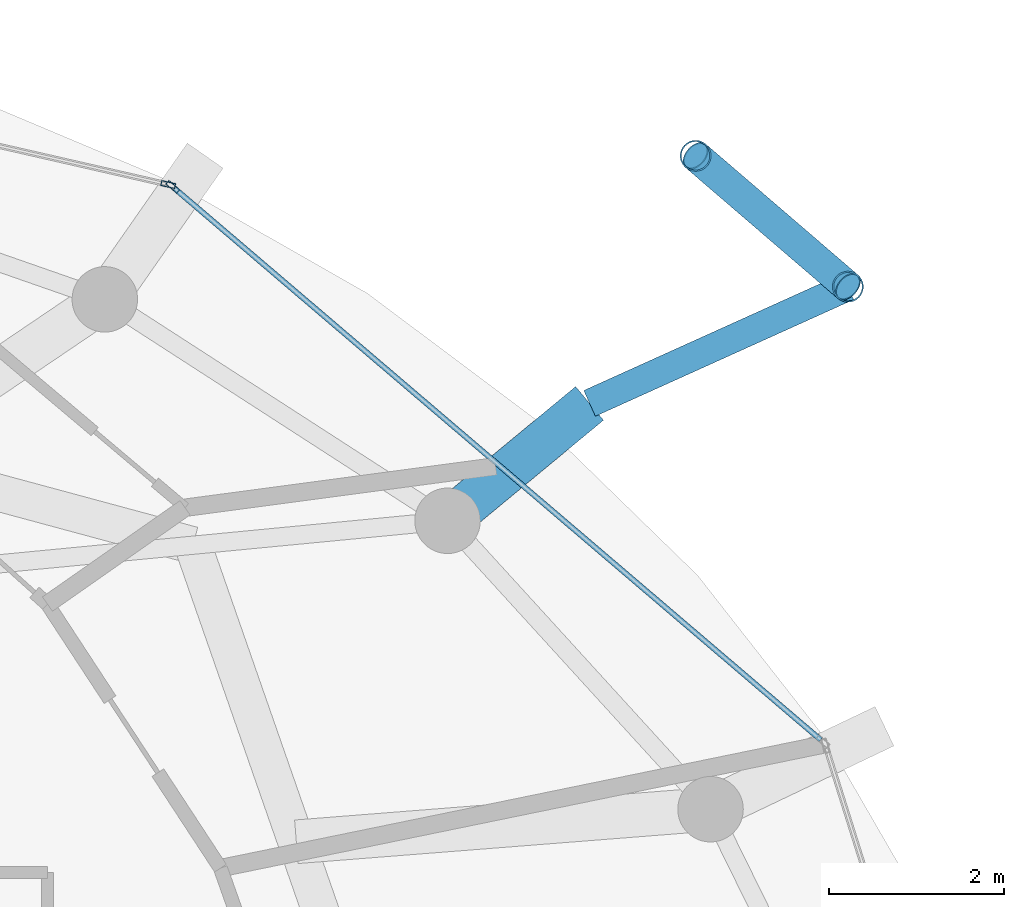
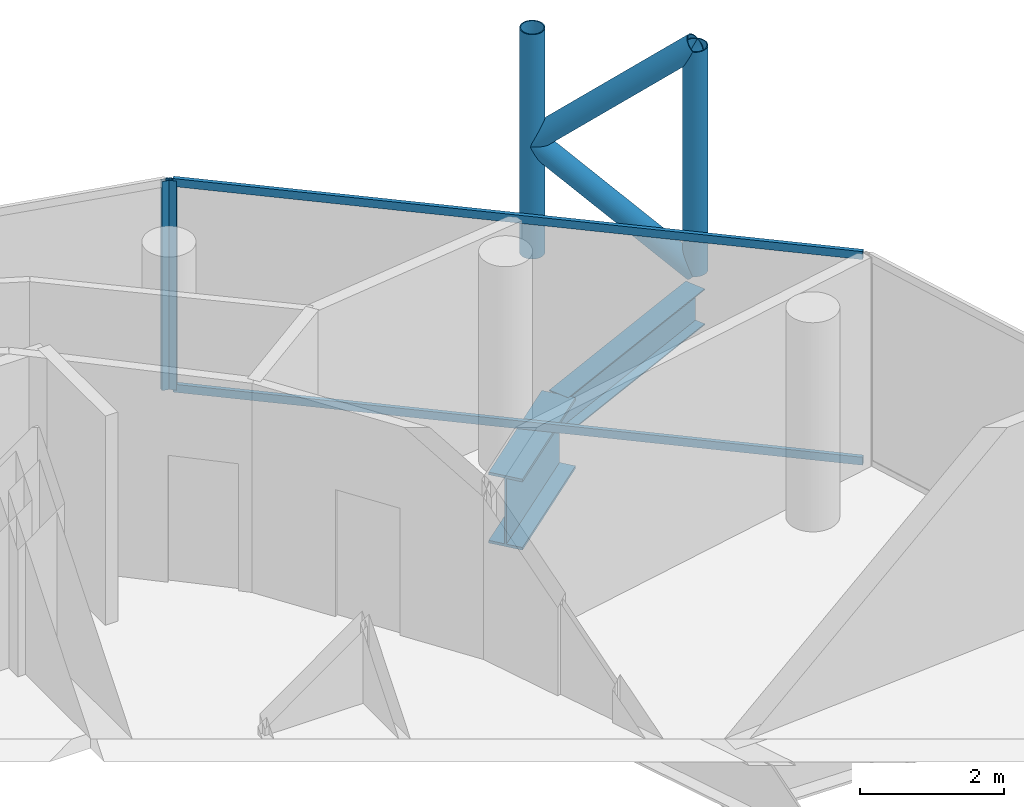
# One storey, part 19 of 25: 8 members, 2 beams, 2 elements without a shape of their own.
"""IFC4 building model written with IfcOpenShell, lengths in metres."""

import ifcopenshell
import ifcopenshell.guid

model = None  # the IFC model being written
_history = None  # IfcOwnerHistory: only IFC2X3 demands one
_inside = {}  # id of a spatial element -> (the spatial element, [elements in it])
_under = {}  # id of a project, library or spatial element -> (it, [spatial elements below it])
_declared = {}  # id of a project -> (the project, [libraries it declares])
_typed = {}  # id of a type object -> (the type object, [elements of that type])
_made_of = {}  # id of a material, layer set ... -> (it, [elements and type objects made of it])


def new_model(schema):
    """Start an empty IFC model of exactly this schema.

    Asked for "IFC4X3", IfcOpenShell would pick the latest addendum, in which some entities
    have other attributes; the version numbers below select the first issue.
    IFC2X3 requires an IfcOwnerHistory on every rooted entity: one is made here for all.
    """
    global model, _history
    if schema == "IFC4X3":
        model = ifcopenshell.file(schema_version=(4, 3, 0, 0))
    else:
        model = ifcopenshell.file(schema=schema)
    _inside.clear()
    _under.clear()
    _declared.clear()
    _typed.clear()
    _made_of.clear()
    _history = None
    if model.schema == "IFC2X3":
        org = make("IfcOrganization", Name="unknown")
        user = make(
            "IfcPersonAndOrganization",
            ThePerson=make("IfcPerson", FamilyName="unknown"),
            TheOrganization=org,
        )
        app = make(
            "IfcApplication",
            ApplicationDeveloper=org,
            Version="unknown",
            ApplicationFullName="unknown",
            ApplicationIdentifier="unknown",
        )
        _history = make(
            "IfcOwnerHistory",
            OwningUser=user,
            OwningApplication=app,
            ChangeAction="ADDED",
            CreationDate=0,
        )
    return model


def make(cls, **values):
    """One entity of the class cls with the attributes given. An attribute that is None is left unset."""
    return model.create_entity(
        cls, **{name: value for name, value in values.items() if value is not None}
    )


def rooted(cls, **values):
    """An entity with a GlobalId (a new one), such as an element, a storey or a relation."""
    return make(cls, GlobalId=ifcopenshell.guid.new(), OwnerHistory=_history, **values)


def si_unit(unit_type, name, prefix=None):
    """IfcSIUnit, for example si_unit("LENGTHUNIT", "METRE", prefix="MILLI")."""
    return make("IfcSIUnit", UnitType=unit_type, Prefix=prefix, Name=name)


def assignment(units):
    """IfcUnitAssignment: the units of a project."""
    return None if units is None else make("IfcUnitAssignment", Units=units)


def point(xyz):
    """IfcCartesianPoint."""
    return None if xyz is None else make("IfcCartesianPoint", Coordinates=xyz)


def direction(xyz):
    """IfcDirection."""
    return None if xyz is None else make("IfcDirection", DirectionRatios=xyz)


def frame(location, z_axis=None, x_axis=None):
    """IfcAxis2Placement3D, a coordinate frame: its origin and axes. An axis left out is left unset."""
    return make(
        "IfcAxis2Placement3D",
        Location=point(location),
        Axis=direction(z_axis),
        RefDirection=direction(x_axis),
    )


def frame_2d(location, x_axis=None):
    """IfcAxis2Placement2D, a coordinate frame in the plane: its origin and x axis."""
    return make(
        "IfcAxis2Placement2D", Location=point(location), RefDirection=direction(x_axis)
    )


def origin():
    """The frame at (0, 0, 0) with its axes left unset."""
    return frame((0.0, 0.0, 0.0))


def origin_2d():
    """The frame at (0, 0) in the plane with its x axis left unset."""
    return frame_2d((0.0, 0.0))


def place(relative_to, where):
    """IfcLocalPlacement: puts the frame where relative to a parent placement (None: the world)."""
    return make(
        "IfcLocalPlacement", PlacementRelTo=relative_to, RelativePlacement=where
    )


def context(
    kind, dimensions, precision=None, world=None, true_north=None, identifier=None
):
    """IfcGeometricRepresentationContext, for example the 3D "Model" context."""
    return make(
        "IfcGeometricRepresentationContext",
        ContextIdentifier=identifier,
        ContextType=kind,
        CoordinateSpaceDimension=dimensions,
        Precision=precision,
        WorldCoordinateSystem=world,
        TrueNorth=true_north,
    )


def subcontext(parent, identifier, kind, view, scale=None):
    """IfcGeometricRepresentationSubContext, for example "Body" below "Model"."""
    return make(
        "IfcGeometricRepresentationSubContext",
        ContextIdentifier=identifier,
        ContextType=kind,
        ParentContext=parent,
        TargetScale=scale,
        TargetView=view,
    )


def project(units=None, contexts=None):
    """IfcProject with its units and contexts."""
    return rooted(
        "IfcProject",
        Name="project",
        RepresentationContexts=contexts,
        UnitsInContext=assignment(units),
    )


def spatial(cls, under=None, at=None, **own):
    """A site, building, storey or space (cls), placed at a placement, below another one or the project."""
    s = rooted(cls, ObjectPlacement=at, **own)
    if under is not None:
        _under.setdefault(under.id(), (under, []))[1].append(s)
    return s


def profile(cls, at=None, kind="AREA", **sizes):
    """A parametric profile (cls). Its sizes go by their IFC names, for example OverallWidth=200.0."""
    return make(cls, ProfileType=kind, Position=at, **sizes)


def hollow_rectangle(**sizes):
    """IfcRectangleHollowProfileDef."""
    return profile("IfcRectangleHollowProfileDef", **sizes)


def hollow_circle(**sizes):
    """IfcCircleHollowProfileDef."""
    return profile("IfcCircleHollowProfileDef", **sizes)


def i_section(**sizes):
    """IfcIShapeProfileDef."""
    return profile("IfcIShapeProfileDef", **sizes)


def extrude(swept, where, along, depth):
    """IfcExtrudedAreaSolid: the profile swept, set in the frame where, extruded along a direction by depth."""
    return make(
        "IfcExtrudedAreaSolid",
        SweptArea=swept,
        Position=where,
        ExtrudedDirection=direction(along),
        Depth=depth,
    )


def shape(context_of_items, identifier, shape_type, items):
    """IfcShapeRepresentation: the items that make up one representation, for example the "Body"."""
    return make(
        "IfcShapeRepresentation",
        ContextOfItems=context_of_items,
        RepresentationIdentifier=identifier,
        RepresentationType=shape_type,
        Items=items,
    )


def material(Name=None, Category=None):
    """IfcMaterial."""
    return make("IfcMaterial", Name=Name, Category=Category)


def layer(
    of_material, thickness, ventilated=None, Name=None, Category=None, Priority=None
):
    """IfcMaterialLayer: one layer of a wall or slab, of a material (None: an air gap)."""
    return make(
        "IfcMaterialLayer",
        Material=of_material,
        LayerThickness=thickness,
        IsVentilated=ventilated,
        Name=Name,
        Category=Category,
        Priority=Priority,
    )


def layer_set(layers, Name=None):
    """IfcMaterialLayerSet."""
    return make("IfcMaterialLayerSet", MaterialLayers=layers, LayerSetName=Name)


def material_profile(
    of_material, cross_section, Name=None, Category=None, Priority=None
):
    """IfcMaterialProfile: a cross section and its material."""
    return make(
        "IfcMaterialProfile",
        Name=Name,
        Material=of_material,
        Profile=cross_section,
        Priority=Priority,
        Category=Category,
    )


def profile_set(profiles, Name=None, composite=None):
    """IfcMaterialProfileSet."""
    return make(
        "IfcMaterialProfileSet",
        Name=Name,
        MaterialProfiles=profiles,
        CompositeProfile=composite,
    )


def made_of(thing, what):
    """Note that an element or type object is made of a material, layer set ...; save() writes the relation."""
    if what is not None:
        _made_of.setdefault(what.id(), (what, []))[1].append(thing)
    return thing


def type_object(cls, material=None, **own):
    """A type object (cls), such as IfcWallType, which elements share."""
    return made_of(rooted(cls, **own), material)


def element(
    cls,
    number,
    at=None,
    inside=None,
    cuts=None,
    type_object=None,
    material=None,
    context=None,
    identifier="Body",
    shape_type=None,
    held_by="IfcProductDefinitionShape",
    body=None,
    shapes=None,
    **own,
):
    """One element of the class cls, such as IfcWall. Its Tag is "e" and its number.

    at: its placement. inside: the storey or other place that contains it. cuts: it is an
    opening in that element (IfcRelVoidsElement). A single representation is given by context,
    identifier, shape_type and body (its items); several are given by shapes. held_by: the class
    of the entity that holds the representations. save() writes the other relations.
    """
    e = rooted(cls, Tag="e%d" % number, ObjectPlacement=at, **own)
    if body is not None:
        shapes = [shape(context, identifier, shape_type, body)]
    if shapes is not None:
        e.Representation = make(held_by, Representations=shapes)
    if inside is not None:
        _inside.setdefault(inside.id(), (inside, []))[1].append(e)
    if cuts is not None:
        rooted(
            "IfcRelVoidsElement", RelatingBuildingElement=cuts, RelatedOpeningElement=e
        )
    if type_object is not None:
        _typed.setdefault(type_object.id(), (type_object, []))[1].append(e)
    return made_of(e, material)


def aggregate(whole, parts):
    """IfcRelAggregates: a whole, such as a stair, and the parts it consists of."""
    return rooted("IfcRelAggregates", RelatingObject=whole, RelatedObjects=parts)


def save(model, path):
    """Write the relations noted so far, then the file.

    IfcRelAggregates (storeys below a building ...), IfcRelContainedInSpatialStructure (elements
    in a storey), IfcRelDefinesByType, IfcRelAssociatesMaterial and IfcRelDeclares: one each for
    every whole, place, type object, material and project.
    """
    for whole, parts in _under.values():
        aggregate(whole, parts)
    for where, things in _inside.values():
        rooted(
            "IfcRelContainedInSpatialStructure",
            RelatedElements=things,
            RelatingStructure=where,
        )
    for kind, things in _typed.values():
        rooted("IfcRelDefinesByType", RelatedObjects=things, RelatingType=kind)
    for what, things in _made_of.values():
        rooted("IfcRelAssociatesMaterial", RelatedObjects=things, RelatingMaterial=what)
    for by, libraries in _declared.values():
        rooted("IfcRelDeclares", RelatingContext=by, RelatedDefinitions=libraries)
    model.write(path)


model = new_model("IFC4")

# Units and contexts
model_context = context("Model", 3, precision=1e-05, world=origin(), true_north=direction((0.0, 1.0)))
body_context = subcontext(model_context, "Body", "Model", "MODEL_VIEW")
ifc_project = project(units=[si_unit("LENGTHUNIT", "METRE"), si_unit("AREAUNIT", "SQUARE_METRE"), si_unit("VOLUMEUNIT", "CUBIC_METRE"), si_unit("PLANEANGLEUNIT", "RADIAN"), si_unit("MASSUNIT", "GRAM", prefix="KILO")], contexts=[model_context])

# Site, building, storey
site_placement = place(None, origin())
site = spatial("IfcSite", under=ifc_project, at=site_placement, CompositionType="ELEMENT")
building_placement = place(site_placement, origin())
building = spatial("IfcBuilding", under=site, at=building_placement, Name="Nuhasar Tower", CompositionType="ELEMENT")
storey_placement = place(building_placement, frame((0.0, 0.0, 255.60009765625)))
storey = spatial("IfcBuildingStorey", under=building, at=storey_placement, Name="L63", CompositionType="ELEMENT", Elevation=255.60009765625)

# Beams
ifc_material_1 = material(Name="Steel S355", Category="steel")
ifc_material_profile_1 = material_profile(ifc_material_1, i_section(OverallWidth=0.323974609375, OverallDepth=0.611083984375, WebThickness=0.0126953125, FlangeThickness=0.01904296875, at=origin_2d()), Name="W24X104")
ifc_profile_set_1 = profile_set([ifc_material_profile_1], Name="Steel S355")
beam_type_1 = type_object("IfcBeamType", Name="BM-TIE-W24X104", PredefinedType="BEAM", material=ifc_profile_set_1)
beam_1_placement = place(storey_placement, frame((54.02587890625, 39.422119140625, -0.565185546875), z_axis=(0.911363318082, 0.411602845538, 0.0), x_axis=(-0.411602845538, 0.911363318082, 0.0)))
element("IfcBeam", 1, at=beam_1_placement, inside=storey, type_object=beam_type_1, Name="L63 Exoskeleton Node Tie Beam 02", PredefinedType="BEAM", context=body_context, shape_type="SweptSolid", body=[
    extrude(i_section(OverallWidth=0.323974609375, OverallDepth=0.611083984375, WebThickness=0.0126953125, FlangeThickness=0.01904296875, at=origin_2d()), origin(), (0.0, 0.0, 1.0), 3.24560546875),
])
ifc_material_2 = material(Name="Steel S460", Category="steel")
ifc_material_profile_2 = material_profile(ifc_material_2, i_section(OverallWidth=0.5, OverallDepth=1.199951171875, WebThickness=0.02587890625, FlangeThickness=0.044921875, at=origin_2d()), Name="PG1200X500")
ifc_profile_set_2 = profile_set([ifc_material_profile_2], Name="Steel S460")
beam_type_2 = type_object("IfcBeamType", Name="BM-XFER-PG1200", PredefinedType="USERDEFINED", material=ifc_profile_set_2)
beam_2_placement = place(storey_placement, frame((52.39990234375, 38.077880859375, -0.860107421875), z_axis=(0.770719586417, 0.637174480903, 0.0), x_axis=(-0.637174480903, 0.770719586417, 0.0)))
element("IfcBeam", 2, at=beam_2_placement, inside=storey, type_object=beam_type_2, Name="L63 Radial Step Transfer Girder 05", ObjectType="GIRDER", PredefinedType="USERDEFINED", context=body_context, shape_type="SweptSolid", body=[
    extrude(i_section(OverallWidth=0.5, OverallDepth=1.199951171875, WebThickness=0.02587890625, FlangeThickness=0.044921875, at=origin_2d()), origin(), (0.0, 0.0, 1.0), 2.109619140625),
])

# Curtain wall, member
ifc_material_3 = material(Name="Aluminium 6063-T6", Category="aluminium")
ifc_layer = layer(ifc_material_3, 0.18994140625)
ifc_layer_set = layer_set([ifc_layer], Name="Aluminium 6063-T6")
curtain_wall_type = type_object("IfcCurtainWallType", Name="CW-Z4-PEN", PredefinedType="NOTDEFINED", material=ifc_layer_set)
curtain_wall_1_placement = place(storey_placement, origin())
curtain_wall_1 = element("IfcCurtainWall", 3, at=curtain_wall_1_placement, inside=storey, type_object=curtain_wall_type, Name="L63 Unitised Curtain Wall 02", PredefinedType="NOTDEFINED")
ifc_material_profile_3 = material_profile(ifc_material_3, hollow_rectangle(XDim=0.06005859375, YDim=0.1650390625, WallThickness=0.0048828125, at=origin_2d()), Name="CWM-5")
ifc_profile_set_3 = profile_set([ifc_material_profile_3], Name="Aluminium 6063-T6")
member_type_1 = type_object("IfcMemberType", Name="CW-MUL-S5", PredefinedType="MULLION", material=ifc_profile_set_3)
member_1_placement = place(storey_placement, frame((49.2529296875, 41.901611328125, 0.0), z_axis=(0.0, 0.0, 1.0), x_axis=(-0.649141996205, -0.760667252327, 0.0)))
member_1 = element("IfcMember", 4, at=member_1_placement, type_object=member_type_1, Name="CW-Z4 mullion 2", PredefinedType="MULLION", context=body_context, shape_type="SweptSolid", body=[
    extrude(hollow_rectangle(XDim=0.06005859375, YDim=0.1650390625, WallThickness=0.0048828125, at=origin_2d()), origin(), (0.0, 0.0, 1.0), 3.539794921875),
])

curtain_wall_2_placement = place(storey_placement, origin())
curtain_wall_2 = element("IfcCurtainWall", 5, at=curtain_wall_2_placement, inside=storey, type_object=curtain_wall_type, Name="L63 Unitised Curtain Wall 03", PredefinedType="NOTDEFINED")
member_2_placement = place(storey_placement, frame((49.20068359375, 41.927734375, 0.0), z_axis=(0.0, 0.0, 1.0), x_axis=(-0.222889487645, -0.97484371891, 0.0)))
member_2 = element("IfcMember", 6, at=member_2_placement, type_object=member_type_1, Name="CW-Z4 mullion 1", PredefinedType="MULLION", context=body_context, shape_type="SweptSolid", body=[
    extrude(hollow_rectangle(XDim=0.06005859375, YDim=0.1650390625, WallThickness=0.0048828125, at=origin_2d()), origin(), (0.0, 0.0, 1.0), 3.539794921875),
])
aggregate(curtain_wall_2, [member_2])

# Member
ifc_material_profile_4 = material_profile(ifc_material_3, hollow_rectangle(XDim=0.06005859375, YDim=0.135009765625, WallThickness=0.00439453125, at=origin_2d()), Name="CWT-5")
ifc_profile_set_4 = profile_set([ifc_material_profile_4], Name="Aluminium 6063-T6")
member_type_2 = type_object("IfcMemberType", Name="CW-TRN-S5", PredefinedType="USERDEFINED", material=ifc_profile_set_4)
member_3_placement = place(storey_placement, frame((56.67333984375, 35.56884765625, 0.02978515625), z_axis=(-0.760660035709, 0.649150452573, 0.0), x_axis=(-0.649150452573, -0.760660035709, 0.0)))
member_3 = element("IfcMember", 7, at=member_3_placement, type_object=member_type_2, Name="CW-Z4 transom 1.1", ObjectType="TRANSOM", PredefinedType="USERDEFINED", context=body_context, shape_type="SweptSolid", body=[
    extrude(hollow_rectangle(XDim=0.06005859375, YDim=0.135009765625, WallThickness=0.00439453125, at=origin_2d()), origin(), (0.0, 0.0, 1.0), 9.725341796875),
])

member_4_placement = place(storey_placement, frame((56.67333984375, 35.56884765625, 3.510009765625), z_axis=(-0.760660035709, 0.649150452573, 0.0), x_axis=(-0.649150452573, -0.760660035709, 0.0)))
member_4 = element("IfcMember", 8, at=member_4_placement, type_object=member_type_2, Name="CW-Z4 transom 1.2", ObjectType="TRANSOM", PredefinedType="USERDEFINED", context=body_context, shape_type="SweptSolid", body=[
    extrude(hollow_rectangle(XDim=0.06005859375, YDim=0.135009765625, WallThickness=0.00439453125, at=origin_2d()), origin(), (0.0, 0.0, 1.0), 9.725341796875),
])

aggregate(curtain_wall_1, [member_1, member_3, member_4])

# Members
ifc_material_profile_5 = material_profile(ifc_material_2, hollow_circle(Radius=0.177734375, WallThickness=0.015869140625, at=origin_2d()), Name="HSS355.6X15.9")
ifc_profile_set_5 = profile_set([ifc_material_profile_5], Name="Steel S460")
member_type_3 = type_object("IfcMemberType", Name="EXO-BRONZE-356", PredefinedType="BRACE", material=ifc_profile_set_5)
for number, where, z_axis, x_axis, name in (
    (9, (56.98388671875, 40.758056640625, 0.0), (0.0, 0.0, 1.0), (1.0, 0.0, 0.0), "L63 Exoskeleton Chord Column EC-02A"),
    (10, (55.239990234375, 42.257080078125, 0.0), (0.0, 0.0, 1.0), (1.0, 0.0, 0.0), "L63 Exoskeleton Chord Column EC-02B"),
):
    element("IfcMember", number, at=place(storey_placement, frame(where, z_axis=z_axis, x_axis=x_axis)), inside=storey, type_object=member_type_3, Name=name, PredefinedType="BRACE", context=body_context, shape_type="SweptSolid", body=[
        extrude(hollow_circle(Radius=0.177734375, WallThickness=0.015869140625, at=origin_2d()), origin(), (0.0, 0.0, 1.0), 3.7998046875),
    ])
for number, where, z_axis, x_axis, name in (
    (11, (56.98388671875, 40.758056640625, 0.0), (-0.584625223306, 0.502533791278, 0.636924749792), (-0.65185738425, -0.758341579104, 0.0), "L63 Bronze Diagrid Brace W1-02"),
    (12, (55.239990234375, 42.257080078125, 1.89990234375), (0.584625223306, -0.502533791278, 0.636924749792), (0.65185738425, 0.758341579104, 0.0), "L63 Bronze Diagrid Brace W2-02"),
):
    element("IfcMember", number, at=place(storey_placement, frame(where, z_axis=z_axis, x_axis=x_axis)), inside=storey, type_object=member_type_3, Name=name, PredefinedType="BRACE", context=body_context, shape_type="SweptSolid", body=[
        extrude(hollow_circle(Radius=0.177734375, WallThickness=0.015869140625, at=origin_2d()), origin(), (0.0, 0.0, 1.0), 2.98291015625),
    ])

save(model, "model.ifc")
